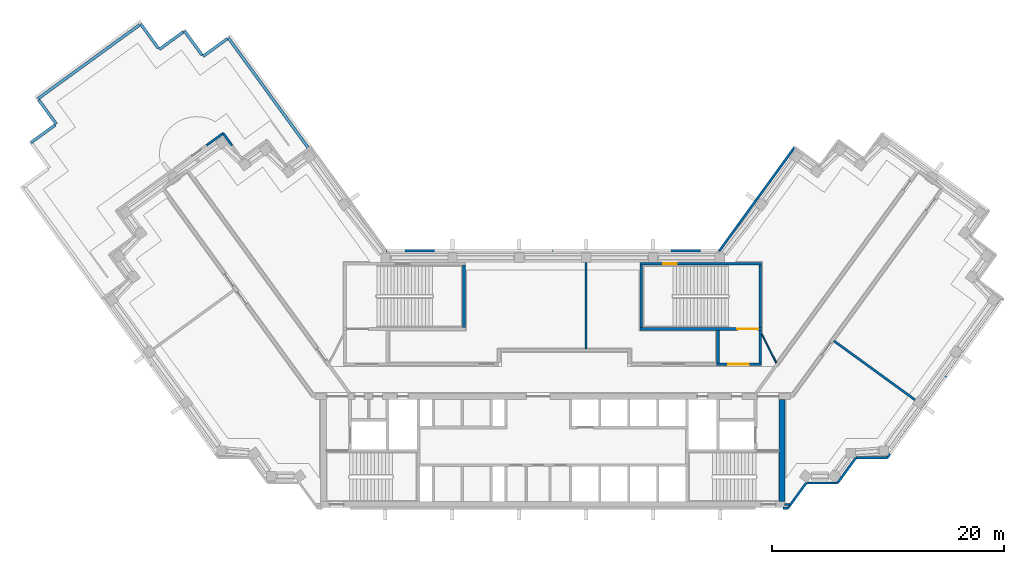
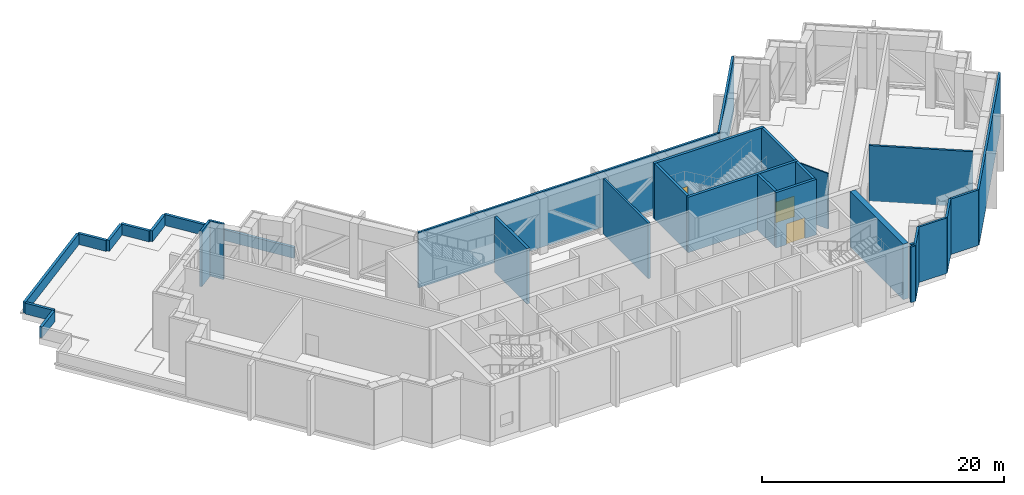
# One storey, part 11 of 15: 31 walls, 2 doors, 1 window, 3 openings.
"""IFC4 building model written with IfcOpenShell, lengths in metres."""

from ifc_helpers import new_model, si_unit, direction, frame, frame_2d, origin, place, context, subcontext, project, spatial, rectangle, extrude, material, layer, layer_set, type_object, element, fill, save


model = new_model("IFC4")

# Units and contexts
model_context = context("Model", 3, precision=1e-05, world=origin(), true_north=direction((0.0, 1.0)))
body_context = subcontext(model_context, "Body", "Model", "MODEL_VIEW")
ifc_project = project(units=[si_unit("LENGTHUNIT", "METRE"), si_unit("AREAUNIT", "SQUARE_METRE"), si_unit("VOLUMEUNIT", "CUBIC_METRE"), si_unit("PLANEANGLEUNIT", "RADIAN"), si_unit("MASSUNIT", "GRAM", prefix="KILO")], contexts=[model_context])

# Site, building, storey
site_placement = place(None, origin())
site = spatial("IfcSite", under=ifc_project, at=site_placement, CompositionType="ELEMENT")
building_placement = place(site_placement, origin())
building = spatial("IfcBuilding", under=site, at=building_placement, Name="Quipu Civic Tower", CompositionType="ELEMENT")
storey_placement = place(building_placement, frame((0.0, 0.0, 242.0)))
storey = spatial("IfcBuildingStorey", under=building, at=storey_placement, Name="L57", CompositionType="ELEMENT", Elevation=242.0)

# Walls
ifc_material_1 = material(Name="Fired clay blockwork", Category="masonry")
ifc_layer_1 = layer(ifc_material_1, 0.199951171875)
ifc_layer_set_1 = layer_set([ifc_layer_1], Name="Fired clay blockwork")
wall_type_1 = type_object("IfcWallType", Name="Blockwork wall 200", PredefinedType="SOLIDWALL", material=ifc_layer_set_1)
wall_1_placement = place(storey_placement, frame((2.85888671875, 2.64990234375, 0.0), z_axis=(0.0, 0.0, 1.0), x_axis=(0.0, 1.0, 0.0)))
element("IfcWall", 1, at=wall_1_placement, inside=storey, type_object=wall_type_1, Name="Partition P01", PredefinedType="SOLIDWALL", context=body_context, shape_type="SweptSolid", body=[
    extrude(rectangle(XDim=7.445068359375, YDim=0.199951171875, at=frame_2d((3.72265625, 0.0))), origin(), (0.0, 0.0, 1.0), 5.60009765625),
])
wall_2_placement = place(storey_placement, frame((31.208740234375, -1.7470703125, 0.0), z_axis=(0.0, 0.0, 1.0), x_axis=(-0.80898392027, 0.587830772199, 0.0)))
element("IfcWall", 2, at=wall_2_placement, inside=storey, type_object=wall_type_1, Name="Partition P02", PredefinedType="SOLIDWALL", context=body_context, shape_type="SweptSolid", body=[
    extrude(rectangle(XDim=8.64501953125, YDim=0.199951171875, at=frame_2d((4.322509765625, 0.0))), origin(), (0.0, 0.0, 1.0), 5.60009765625),
])
ifc_material_2 = material(Name="Precast concrete C40/50", Category="concrete")
wall_type_2 = type_object("IfcWallType", Name="Concrete parapet", PredefinedType="PARAPET", material=ifc_material_2)
for number, where, z_axis, x_axis, name in (
    (3, (-44.93798828125, 20.416015625, 0.0), (0.0, 0.0, 1.0), (0.809043476975, 0.587748800394, 0.0), "Parapet L57.4"),
    (4, (-42.753662109375, 22.0029296875, 0.0), (0.0, 0.0, 1.0), (-0.587748800394, 0.809043476975, 0.0), "Parapet L57.5"),
):
    element("IfcWall", number, at=place(storey_placement, frame(where, z_axis=z_axis, x_axis=x_axis)), inside=storey, type_object=wall_type_2, Name=name, PredefinedType="PARAPET", context=body_context, shape_type="SweptSolid", body=[
        extrude(rectangle(XDim=2.574951171875, YDim=0.25, at=frame_2d((1.28759765625, 0.0))), origin(), (0.0, 0.0, 1.0), 1.10009765625),
    ])
wall_3_placement = place(storey_placement, frame((-44.340576171875, 24.187255859375, 0.0), z_axis=(0.0, 0.0, 1.0), x_axis=(0.809014924719, 0.587788100918, 0.0)))
element("IfcWall", 5, at=wall_3_placement, inside=storey, type_object=wall_type_2, Name="Parapet L57.6", PredefinedType="PARAPET", context=body_context, shape_type="SweptSolid", body=[
    extrude(rectangle(XDim=10.824951171875, YDim=0.25, at=frame_2d((5.41259765625, 0.0))), origin(), (0.0, 0.0, 1.0), 1.10009765625),
])
for number, where, z_axis, x_axis, name in (
    (6, (-35.48193359375, 30.62353515625, 0.0), (0.0, 0.0, 1.0), (0.587810855502, -0.808998391935, 0.0), "Parapet L57.7"),
    (7, (-33.894775390625, 28.439208984375, 0.0), (0.0, 0.0, 1.0), (0.808998391935, 0.587810855502, 0.0), "Parapet L57.8"),
):
    element("IfcWall", number, at=place(storey_placement, frame(where, z_axis=z_axis, x_axis=x_axis)), inside=storey, type_object=wall_type_2, Name=name, PredefinedType="PARAPET", context=body_context, shape_type="SweptSolid", body=[
        extrude(rectangle(XDim=2.5751953125, YDim=0.25, at=frame_2d((1.28759765625, 0.0))), origin(), (0.0, 0.0, 1.0), 1.10009765625),
    ])
wall_4_placement = place(storey_placement, frame((-31.71044921875, 30.026123046875, 0.0), z_axis=(0.0, 0.0, 1.0), x_axis=(0.587793888112, -0.809010720015, 0.0)))
element("IfcWall", 8, at=wall_4_placement, inside=storey, type_object=wall_type_2, Name="Parapet L57.9", PredefinedType="PARAPET", context=body_context, shape_type="SweptSolid", body=[
    extrude(rectangle(XDim=2.57470703125, YDim=0.25, at=frame_2d((1.287353515625, 0.0))), origin(), (0.0, 0.0, 1.0), 1.10009765625),
])
wall_5_placement = place(storey_placement, frame((-30.12353515625, 27.841796875, 0.0), z_axis=(0.0, 0.0, 1.0), x_axis=(0.808998391935, 0.587810855502, 0.0)))
element("IfcWall", 9, at=wall_5_placement, inside=storey, type_object=wall_type_2, Name="Parapet L57.10", PredefinedType="PARAPET", context=body_context, shape_type="SweptSolid", body=[
    extrude(rectangle(XDim=2.5751953125, YDim=0.25, at=frame_2d((1.28759765625, 0.0))), origin(), (0.0, 0.0, 1.0), 1.10009765625),
])
wall_6_placement = place(storey_placement, frame((-27.939208984375, 29.428955078125, 0.0), z_axis=(0.0, 0.0, 1.0), x_axis=(0.587780660559, -0.809020330444, 0.0)))
element("IfcWall", 10, at=wall_6_placement, inside=storey, type_object=wall_type_2, Name="Parapet L57.11", PredefinedType="PARAPET", context=body_context, shape_type="SweptSolid", body=[
    extrude(rectangle(XDim=11.77001953125, YDim=0.25, at=frame_2d((5.885009765625, 0.0))), origin(), (0.0, 0.0, 1.0), 1.10009765625),
])
ifc_material_3 = material(Name="Concrete C70/85", Category="concrete")
ifc_layer_2 = layer(ifc_material_3, 0.25)
ifc_layer_set_2 = layer_set([ifc_layer_2], Name="Concrete C70/85")
wall_type_3 = type_object("IfcWallType", Name="Core wall 250", PredefinedType="SHEAR", material=ifc_layer_set_2)
wall_7_placement = place(storey_placement, frame((-7.625, 4.5, 0.0), z_axis=(0.0, 0.0, 1.0), x_axis=(0.0, 1.0, 0.0)))
element("IfcWall", 11, at=wall_7_placement, inside=storey, type_object=wall_type_3, Name="Core wall", PredefinedType="SHEAR", context=body_context, shape_type="SweptSolid", body=[
    extrude(rectangle(XDim=5.35009765625, YDim=0.25, at=frame_2d((2.675048828125, 0.0))), origin(), (0.0, 0.0, 1.0), 5.60009765625),
])

# Wall, opening, door
wall_8_placement = place(storey_placement, frame((14.10009765625, 1.324951171875, 0.0), z_axis=(0.0, 0.0, 1.0), x_axis=(1.0, 0.0, 0.0)))
wall_8 = element("IfcWall", 12, at=wall_8_placement, inside=storey, type_object=wall_type_3, Name="Core wall", PredefinedType="SHEAR", context=body_context, shape_type="SweptSolid", body=[
    extrude(rectangle(XDim=3.89990234375, YDim=0.25, at=frame_2d((1.949951171875, 0.0))), origin(), (0.0, 0.0, 1.0), 5.60009765625),
])
opening_1_placement = place(wall_8_placement, frame((1.0, 0.0, 0.0)))
opening_1 = element("IfcOpeningElement", 13, at=opening_1_placement, cuts=wall_8, Name="Opening CD-16", PredefinedType="OPENING", context=body_context, shape_type="SweptSolid", body=[
    extrude(rectangle(XDim=1.800048828125, YDim=2.10009765625, at=frame_2d((0.89990234375, 1.050048828125))), frame((0.0, 0.135009765625, 0.0), z_axis=(0.0, -1.0, 0.0), x_axis=(1.0, 0.0, 0.0)), (0.0, 0.0, 1.0), 0.27001953125),
])
ifc_material_4 = material(Name="Fire rated steel door", Category="steel")
door_type = type_object("IfcDoorType", Name="Fire door FD90 double 1800 x 2100", OperationType="NOTDEFINED", PredefinedType="DOOR", material=ifc_material_4)
door_1_placement = place(opening_1_placement, origin())
door_1 = element("IfcDoor", 14, at=door_1_placement, inside=storey, type_object=door_type, Name="Lobby door", OperationType="DOUBLE_DOOR_SINGLE_SWING", OverallHeight=2.10009765625, OverallWidth=1.800048828125, PredefinedType="DOOR", context=body_context, shape_type="SweptSolid", body=[
    extrude(rectangle(XDim=1.800048828125, YDim=2.10009765625, at=frame_2d((0.89990234375, 1.050048828125))), frame((0.0, 0.02490234375, 0.0), z_axis=(0.0, -1.0, 0.0), x_axis=(1.0, 0.0, 0.0)), (0.0, 0.0, 1.0), 0.050048828125),
])
fill(opening_1, door_1)

# Walls
for number, where, z_axis, x_axis, name in (
    (15, (14.22509765625, 1.449951171875, 0.0), (0.0, 0.0, 1.0), (0.0, 1.0, 0.0), "Core wall"),
    (16, (17.875, 1.449951171875, 0.0), (0.0, 0.0, 1.0), (0.0, 1.0, 0.0), "Core wall"),
):
    element("IfcWall", number, at=place(storey_placement, frame(where, z_axis=z_axis, x_axis=x_axis)), inside=storey, type_object=wall_type_3, Name=name, PredefinedType="SHEAR", context=body_context, shape_type="SweptSolid", body=[
        extrude(rectangle(XDim=2.800048828125, YDim=0.25, at=frame_2d((1.39990234375, 0.0))), origin(), (0.0, 0.0, 1.0), 5.60009765625),
    ])

# Wall, opening, door
wall_9_placement = place(storey_placement, frame((7.5, 4.375, 0.0), z_axis=(0.0, 0.0, 1.0), x_axis=(1.0, 0.0, 0.0)))
wall_9 = element("IfcWall", 17, at=wall_9_placement, inside=storey, type_object=wall_type_3, Name="Core wall", PredefinedType="SHEAR", context=body_context, shape_type="SweptSolid", body=[
    extrude(rectangle(XDim=10.5, YDim=0.25, at=frame_2d((5.25, 0.0))), origin(), (0.0, 0.0, 1.0), 5.60009765625),
])
opening_2_placement = place(wall_9_placement, frame((8.39990234375, 0.0, 0.0)))
opening_2 = element("IfcOpeningElement", 18, at=opening_2_placement, cuts=wall_9, Name="Opening CD-17", PredefinedType="OPENING", context=body_context, shape_type="SweptSolid", body=[
    extrude(rectangle(XDim=1.800048828125, YDim=2.10009765625, at=frame_2d((0.89990234375, 1.050048828125))), frame((0.0, 0.135009765625, 0.0), z_axis=(0.0, -1.0, 0.0), x_axis=(1.0, 0.0, 0.0)), (0.0, 0.0, 1.0), 0.27001953125),
])
door_2_placement = place(opening_2_placement, origin())
door_2 = element("IfcDoor", 19, at=door_2_placement, inside=storey, type_object=door_type, Name="Door", OperationType="DOUBLE_DOOR_SINGLE_SWING", OverallHeight=2.10009765625, OverallWidth=1.800048828125, PredefinedType="DOOR", context=body_context, shape_type="SweptSolid", body=[
    extrude(rectangle(XDim=1.800048828125, YDim=2.10009765625, at=frame_2d((0.89990234375, 1.050048828125))), frame((0.0, 0.02490234375, 0.0), z_axis=(0.0, -1.0, 0.0), x_axis=(1.0, 0.0, 0.0)), (0.0, 0.0, 1.0), 0.050048828125),
])
fill(opening_2, door_2)

# Walls
for number, where, z_axis, x_axis, name in (
    (20, (7.625, 4.5, 0.0), (0.0, 0.0, 1.0), (0.0, 1.0, 0.0), "Core wall"),
    (21, (17.875, 4.5, 0.0), (0.0, 0.0, 1.0), (0.0, 1.0, 0.0), "Core wall"),
):
    element("IfcWall", number, at=place(storey_placement, frame(where, z_axis=z_axis, x_axis=x_axis)), inside=storey, type_object=wall_type_3, Name=name, PredefinedType="SHEAR", context=body_context, shape_type="SweptSolid", body=[
        extrude(rectangle(XDim=5.35009765625, YDim=0.25, at=frame_2d((2.675048828125, 0.0))), origin(), (0.0, 0.0, 1.0), 5.60009765625),
    ])

# Wall, opening, window
wall_10_placement = place(storey_placement, frame((7.5, 9.97509765625, 0.0), z_axis=(0.0, 0.0, 1.0), x_axis=(1.0, 0.0, 0.0)))
wall_10 = element("IfcWall", 22, at=wall_10_placement, inside=storey, type_object=wall_type_3, Name="Core wall", PredefinedType="SHEAR", context=body_context, shape_type="SweptSolid", body=[
    extrude(rectangle(XDim=10.5, YDim=0.25, at=frame_2d((5.25, 0.0))), origin(), (0.0, 0.0, 1.0), 5.60009765625),
])
opening_3_placement = place(wall_10_placement, frame((2.0, 0.0, 1.0)))
opening_3 = element("IfcOpeningElement", 23, at=opening_3_placement, cuts=wall_10, Name="Opening SV-4", PredefinedType="OPENING", context=body_context, shape_type="SweptSolid", body=[
    extrude(rectangle(XDim=1.199951171875, YDim=1.199951171875, at=frame_2d((0.60009765625, 0.60009765625))), frame((0.0, 0.135009765625, 0.0), z_axis=(0.0, -1.0, 0.0), x_axis=(1.0, 0.0, 0.0)), (0.0, 0.0, 1.0), 0.27001953125),
])
ifc_material_5 = material(Name="Aluminium louvre", Category="aluminium")
window_type = type_object("IfcWindowType", Name="Stair ventilation louvre 1200 x 1200", PartitioningType="SINGLE_PANEL", PredefinedType="WINDOW", material=ifc_material_5)
window_placement = place(opening_3_placement, origin())
window = element("IfcWindow", 24, at=window_placement, inside=storey, type_object=window_type, Name="Stair ventilation opening", OverallHeight=1.199951171875, OverallWidth=1.199951171875, PartitioningType="SINGLE_PANEL", PredefinedType="WINDOW", context=body_context, shape_type="SweptSolid", body=[
    extrude(rectangle(XDim=1.199951171875, YDim=1.199951171875, at=frame_2d((0.60009765625, 0.60009765625))), frame((0.0, 0.030029296875, 0.0), z_axis=(0.0, -1.0, 0.0), x_axis=(1.0, 0.0, 0.0)), (0.0, 0.0, 1.0), 0.06005859375),
])
fill(opening_3, window)

# Walls
ifc_material_6 = material(Name="Concrete C70/85", Category="concrete")
ifc_layer_3 = layer(ifc_material_6, 0.5)
ifc_layer_set_3 = layer_set([ifc_layer_3], Name="Concrete C70/85")
wall_type_4 = type_object("IfcWallType", Name="Core wall 500", PredefinedType="SHEAR", material=ifc_layer_set_3)
wall_11_placement = place(storey_placement, frame((19.75, -10.5, 0.0), z_axis=(0.0, 0.0, 1.0), x_axis=(0.0, 1.0, 0.0)))
element("IfcWall", 25, at=wall_11_placement, inside=storey, type_object=wall_type_4, Name="Core wall", PredefinedType="SHEAR", context=body_context, shape_type="SweptSolid", body=[
    extrude(rectangle(XDim=8.800048828125, YDim=0.5, at=frame_2d((4.39990234375, 0.0))), origin(), (0.0, 0.0, 1.0), 5.60009765625),
])
ifc_material_7 = material(Name="Gypsum plasterboard on light gauge framing")
ifc_layer_4 = layer(ifc_material_7, 0.1201171875)
ifc_layer_set_4 = layer_set([ifc_layer_4], Name="Gypsum plasterboard on light gauge framing")
wall_type_5 = type_object("IfcWallType", Name="Partition 120 plasterboard", PredefinedType="PARTITIONING", material=ifc_layer_set_4)
wall_12_placement = place(storey_placement, frame((18.0, 3.925048828125, 0.0), z_axis=(0.0, 0.0, 1.0), x_axis=(0.453950796792, -0.891026752736, 0.0)))
element("IfcWall", 26, at=wall_12_placement, inside=storey, type_object=wall_type_5, Name="Partition P04", PredefinedType="PARTITIONING", context=body_context, shape_type="SweptSolid", body=[
    extrude(rectangle(XDim=2.77783203125, YDim=0.1201171875, at=frame_2d((1.388916015625, 0.0))), origin(), (0.0, 0.0, 1.0), 5.60009765625),
])
ifc_material_8 = material(Name="Precast concrete C40/50", Category="concrete")
wall_type_6 = type_object("IfcWallType", Name="Precast cladding wall", PredefinedType="SOLIDWALL", material=ifc_material_8)
wall_13_placement = place(storey_placement, frame((-27.616455078125, 20.159912109375, 0.0), z_axis=(0.0, 0.0, 1.0), x_axis=(-0.587707438817, 0.809073523457, 0.0)))
element("IfcWall", 27, at=wall_13_placement, inside=storey, type_object=wall_type_6, Name="Precast cladding wall L57 5 a", PredefinedType="SOLIDWALL", context=body_context, shape_type="SweptSolid", body=[
    extrude(rectangle(XDim=1.3134765625, YDim=0.199951171875, at=frame_2d((0.65673828125, 0.0))), origin(), (0.0, 0.0, 1.0), 5.60009765625),
])
wall_14_placement = place(storey_placement, frame((-28.37158203125, 21.219970703125, 0.0), z_axis=(0.0, 0.0, 1.0), x_axis=(-0.80900269192, -0.587804937429, 0.0)))
element("IfcWall", 28, at=wall_14_placement, inside=storey, type_object=wall_type_6, Name="Precast cladding wall L57 6", PredefinedType="SOLIDWALL", context=body_context, shape_type="SweptSolid", body=[
    extrude(rectangle(XDim=1.781494140625, YDim=0.199951171875, at=frame_2d((0.890625, 0.0))), origin(), (0.0, 0.0, 1.0), 5.60009765625),
])
wall_15_placement = place(storey_placement, frame((19.85009765625, -11.087890625, 0.0), z_axis=(0.0, 0.0, 1.0), x_axis=(1.0, 0.0, 0.0)))
element("IfcWall", 29, at=wall_15_placement, inside=storey, type_object=wall_type_6, Name="Precast cladding wall L57 20", PredefinedType="SOLIDWALL", context=body_context, shape_type="SweptSolid", body=[
    extrude(rectangle(XDim=0.40576171875, YDim=0.199951171875, at=frame_2d((0.202880859375, 0.0))), origin(), (0.0, 0.0, 1.0), 5.60009765625),
])
wall_16_placement = place(storey_placement, frame((20.253173828125, -11.083251953125, 0.0), z_axis=(0.0, 0.0, 1.0), x_axis=(0.587766567315, 0.809030569476, 0.0)))
element("IfcWall", 30, at=wall_16_placement, inside=storey, type_object=wall_type_6, Name="Precast cladding wall L57 21", PredefinedType="SOLIDWALL", context=body_context, shape_type="SweptSolid", body=[
    extrude(rectangle(XDim=2.687744140625, YDim=0.199951171875, at=frame_2d((1.34375, 0.0))), origin(), (0.0, 0.0, 1.0), 5.60009765625),
])
wall_17_placement = place(storey_placement, frame((21.8427734375, -8.90380859375, 0.0), z_axis=(0.0, 0.0, 1.0), x_axis=(1.0, 0.0, 0.0)))
element("IfcWall", 31, at=wall_17_placement, inside=storey, type_object=wall_type_6, Name="Precast cladding wall L57 22", PredefinedType="SOLIDWALL", context=body_context, shape_type="SweptSolid", body=[
    extrude(rectangle(XDim=2.699951171875, YDim=0.199951171875, at=frame_2d((1.35009765625, 0.0))), origin(), (0.0, 0.0, 1.0), 5.60009765625),
])
wall_18_placement = place(storey_placement, frame((24.533203125, -8.90869140625, 0.0), z_axis=(0.0, 0.0, 1.0), x_axis=(0.587720002413, 0.809064397168, 0.0)))
element("IfcWall", 32, at=wall_18_placement, inside=storey, type_object=wall_type_6, Name="Precast cladding wall L57 23", PredefinedType="SOLIDWALL", context=body_context, shape_type="SweptSolid", body=[
    extrude(rectangle(XDim=2.7001953125, YDim=0.199951171875, at=frame_2d((1.35009765625, 0.0))), origin(), (0.0, 0.0, 1.0), 5.60009765625),
])
wall_19_placement = place(storey_placement, frame((26.1298828125, -6.71923828125, 0.0), z_axis=(0.0, 0.0, 1.0), x_axis=(1.0, 0.0, 0.0)))
element("IfcWall", 33, at=wall_19_placement, inside=storey, type_object=wall_type_6, Name="Precast cladding wall L57 24", PredefinedType="SOLIDWALL", context=body_context, shape_type="SweptSolid", body=[
    extrude(rectangle(XDim=2.699951171875, YDim=0.199951171875, at=frame_2d((1.35009765625, 0.0))), origin(), (0.0, 0.0, 1.0), 5.60009765625),
])
wall_20_placement = place(storey_placement, frame((28.820068359375, -6.72412109375, 0.0), z_axis=(0.0, 0.0, 1.0), x_axis=(0.587789790223, 0.809013697356, 0.0)))
element("IfcWall", 34, at=wall_20_placement, inside=storey, type_object=wall_type_6, Name="Precast cladding wall L57 25", PredefinedType="SOLIDWALL", context=body_context, shape_type="SweptSolid", body=[
    extrude(rectangle(XDim=16.95556640625, YDim=0.199951171875, at=frame_2d((8.477783203125, 0.0))), origin(), (0.0, 0.0, 1.0), 5.60009765625),
])
wall_21_placement = place(storey_placement, frame((20.845703125, 20.02783203125, 0.0), z_axis=(0.0, 0.0, 1.0), x_axis=(-0.58779571445, -0.809009393069, 0.0)))
element("IfcWall", 35, at=wall_21_placement, inside=storey, type_object=wall_type_6, Name="Precast cladding wall L57 35", PredefinedType="SOLIDWALL", context=body_context, shape_type="SweptSolid", body=[
    extrude(rectangle(XDim=11.044189453125, YDim=0.199951171875, at=frame_2d((5.52197265625, 0.0))), origin(), (0.0, 0.0, 1.0), 5.60009765625),
])
wall_22_placement = place(storey_placement, frame((14.34423828125, 11.087890625, 0.0), z_axis=(0.0, 0.0, 1.0), x_axis=(-1.0, 0.0, 0.0)))
element("IfcWall", 36, at=wall_22_placement, inside=storey, type_object=wall_type_6, Name="Precast cladding wall L57 36", PredefinedType="SOLIDWALL", context=body_context, shape_type="SweptSolid", body=[
    extrude(rectangle(XDim=28.6884765625, YDim=0.199951171875, at=frame_2d((14.34423828125, 0.0))), origin(), (0.0, 0.0, 1.0), 5.60009765625),
])
wall_23_placement = place(storey_placement, frame((19.97998046875, -10.75, 0.0), z_axis=(0.0, 0.0, 1.0), x_axis=(1.0, 0.0, 0.0)))
element("IfcWall", 37, at=wall_23_placement, inside=storey, type_object=wall_type_6, Name="Precast cladding return L57 E", PredefinedType="SOLIDWALL", context=body_context, shape_type="SweptSolid", body=[
    extrude(rectangle(XDim=0.41650390625, YDim=0.199951171875, at=frame_2d((0.208251953125, 0.0))), origin(), (0.0, 0.0, 1.0), 5.60009765625),
])

save(model, "model.ifc")
